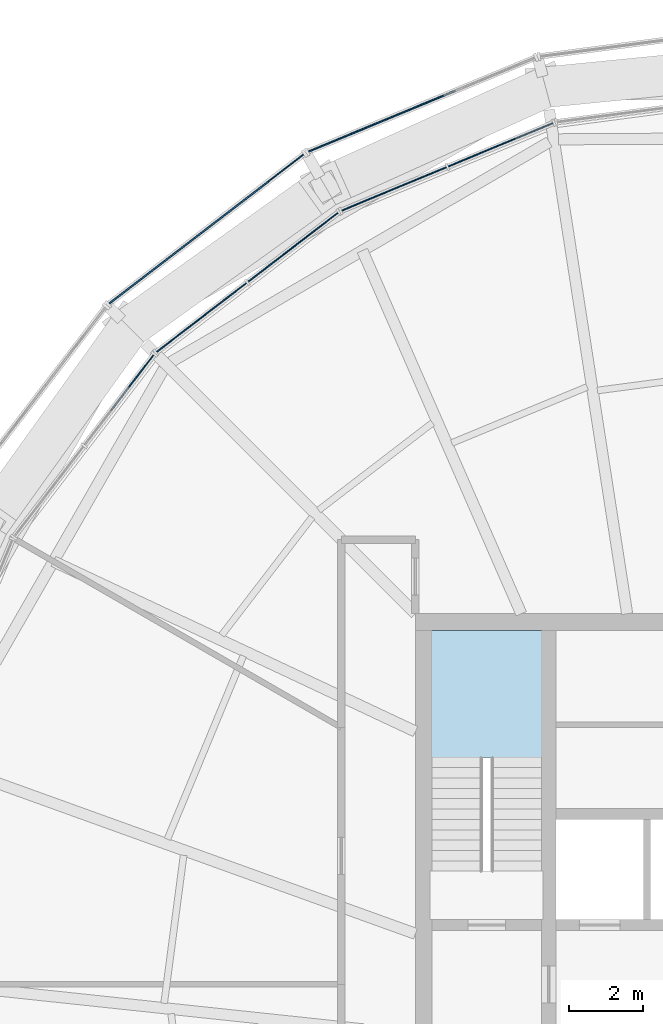
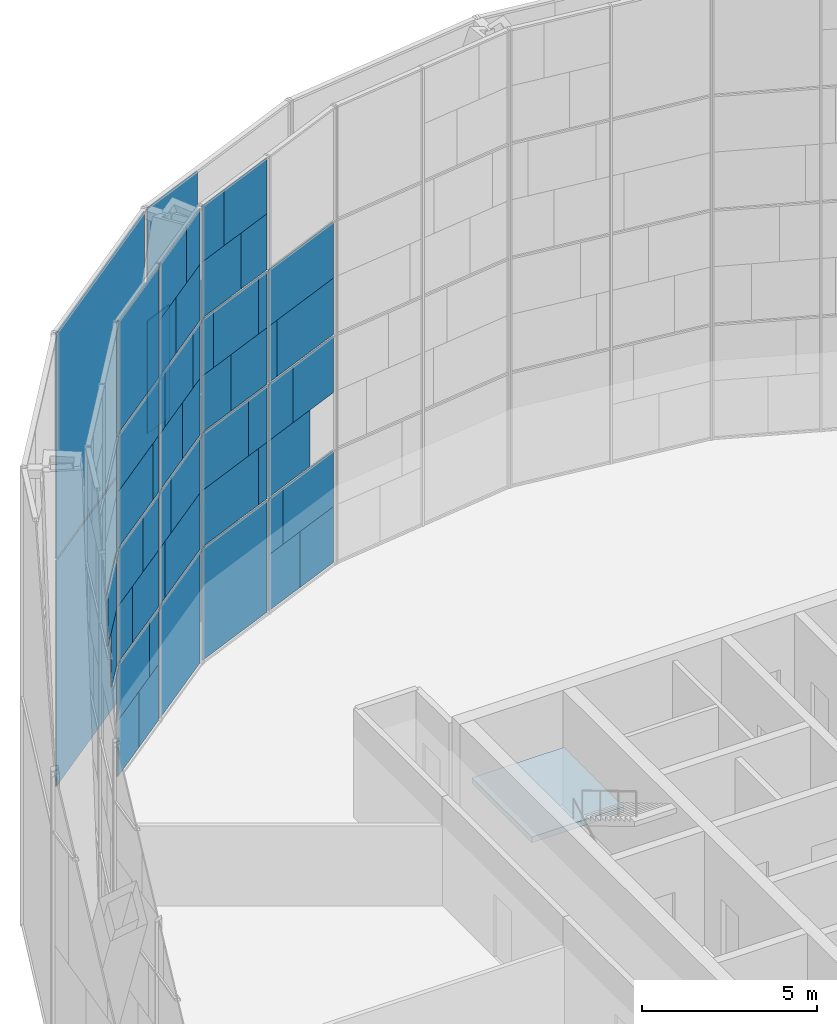
# One storey, part 22 of 30: 60 plates, 1 slab, 6 elements without a shape of their own.
"""IFC4 building model written with IfcOpenShell, lengths in metres."""

from ifc_helpers import new_model, si_unit, direction, frame, origin, origin_2d, place, context, subcontext, project, spatial, polyline, rectangle, outline, extrude, material, layer, layer_set, type_object, element, aggregate, save


model = new_model("IFC4")

# Units and contexts
model_context = context("Model", 3, precision=1e-05, world=origin(), true_north=direction((0.0, 1.0)))
body_context = subcontext(model_context, "Body", "Model", "MODEL_VIEW")
ifc_project = project(units=[si_unit("LENGTHUNIT", "METRE"), si_unit("AREAUNIT", "SQUARE_METRE"), si_unit("VOLUMEUNIT", "CUBIC_METRE"), si_unit("PLANEANGLEUNIT", "RADIAN"), si_unit("MASSUNIT", "GRAM", prefix="KILO")], contexts=[model_context])

# Site, building, storey
site_placement = place(None, origin())
site = spatial("IfcSite", under=ifc_project, at=site_placement, CompositionType="ELEMENT")
building_placement = place(site_placement, origin())
building = spatial("IfcBuilding", under=site, at=building_placement, Name="Golbaran Civic Tower", CompositionType="ELEMENT")
storey_placement = place(building_placement, frame((0.0, 0.0, 167.0)))
storey = spatial("IfcBuildingStorey", under=building, at=storey_placement, Name="L40", CompositionType="ELEMENT", Elevation=167.0)

# Curtain wall, plates
ifc_material_1 = material(Name="Aluminium and glass", Category="aluminium")
curtain_wall_type_1 = type_object("IfcCurtainWallType", Name="INNER SKIN CURTAIN WALL EXECUTIVE", PredefinedType="NOTDEFINED", material=ifc_material_1)
curtain_wall_1_placement = place(storey_placement, origin())
curtain_wall_1 = element("IfcCurtainWall", 1, at=curtain_wall_1_placement, inside=storey, type_object=curtain_wall_type_1, Name="Inner skin L40 facet 8 CW2", ObjectType="INNER SKIN", PredefinedType="USERDEFINED")
ifc_material_2 = material(Name="Clear insulating glass", Category="glass")
ifc_layer_1 = layer(ifc_material_2, 0.031982421875, Name="Clear insulating glass")
ifc_layer_set_1 = layer_set([ifc_layer_1], Name="Clear insulating glass")
plate_type_1 = type_object("IfcPlateType", Name="INNER SKIN CURTAIN WALL EXECUTIVE GLAZED PANEL", PredefinedType="CURTAIN_PANEL", material=ifc_layer_set_1)
plate_1_placement = place(storey_placement, frame((-8.42626953125, 22.35400390625, 0.06005859375), z_axis=(0.0, 0.0, 1.0), x_axis=(-0.923879532471, -0.382683432462, 0.0)))
plate_1 = element("IfcPlate", 2, at=plate_1_placement, type_object=plate_type_1, Name="CW2 panel 1.1 part 2", PredefinedType="CURTAIN_PANEL", context=body_context, shape_type="SweptSolid", body=[
    extrude(rectangle(XDim=1.4794921875, YDim=0.031982421875, at=origin_2d()), origin(), (0.0, 0.0, 1.0), 1.955078125),
])
plate_2_placement = place(storey_placement, frame((-8.7939453125, 22.20166015625, 2.014892578125), z_axis=(0.0, 0.0, 1.0), x_axis=(-0.923879532471, -0.382683432462, 0.0)))
plate_2 = element("IfcPlate", 3, at=plate_2_placement, type_object=plate_type_1, Name="CW2 panel 1.1 part 4", PredefinedType="CURTAIN_PANEL", context=body_context, shape_type="SweptSolid", body=[
    extrude(rectangle(XDim=0.683349609375, YDim=0.031982421875, at=origin_2d()), origin(), (0.0, 0.0, 1.0), 1.955078125),
])
plate_3_placement = place(storey_placement, frame((-7.16259765625, 22.87744140625, 6.0), z_axis=(0.0, 0.0, 1.0), x_axis=(-0.923879532471, -0.382683432462, 0.0)))
plate_3 = element("IfcPlate", 4, at=plate_3_placement, type_object=plate_type_1, Name="CW2 panel 1.2 part 3", PredefinedType="CURTAIN_PANEL", context=body_context, shape_type="SweptSolid", body=[
    extrude(rectangle(XDim=1.89208984375, YDim=0.031982421875, at=origin_2d()), origin(), (0.0, 0.0, 1.0), 1.969970703125),
])
plate_4_placement = place(storey_placement, frame((-7.513671875, 22.73193359375, 8.02978515625), z_axis=(0.0, 0.0, 1.0), x_axis=(-0.923879532471, -0.382683432462, 0.0)))
plate_4 = element("IfcPlate", 5, at=plate_4_placement, type_object=plate_type_1, Name="CW2 panel 1.3 part 1", PredefinedType="CURTAIN_PANEL", context=body_context, shape_type="SweptSolid", body=[
    extrude(rectangle(XDim=2.652099609375, YDim=0.031982421875, at=origin_2d()), origin(), (0.0, 0.0, 1.0), 1.969970703125),
])
plate_5_placement = place(storey_placement, frame((-7.698974609375, 22.6552734375, 10.0), z_axis=(0.0, 0.0, 1.0), x_axis=(-0.923879532471, -0.382683432462, 0.0)))
plate_5 = element("IfcPlate", 6, at=plate_5_placement, type_object=plate_type_1, Name="CW2 panel 1.3 part 3", PredefinedType="CURTAIN_PANEL", context=body_context, shape_type="SweptSolid", body=[
    extrude(rectangle(XDim=3.053466796875, YDim=0.031982421875, at=origin_2d()), origin(), (0.0, 0.0, 1.0), 1.969970703125),
])
plate_6_placement = place(storey_placement, frame((-10.575439453125, 21.463623046875, 0.06005859375), z_axis=(0.0, 0.0, 1.0), x_axis=(-0.923879532471, -0.382683432462, 0.0)))
plate_6 = element("IfcPlate", 7, at=plate_6_placement, type_object=plate_type_1, Name="CW2 panel 2.1", PredefinedType="CURTAIN_PANEL", context=body_context, shape_type="SweptSolid", body=[
    extrude(rectangle(XDim=3.053466796875, YDim=0.031982421875, at=origin_2d()), origin(), (0.0, 0.0, 1.0), 3.909912109375),
])
plate_7_placement = place(storey_placement, frame((-10.7607421875, 21.386962890625, 4.02978515625), z_axis=(0.0, 0.0, 1.0), x_axis=(-0.923879532471, -0.382683432462, 0.0)))
plate_7 = element("IfcPlate", 8, at=plate_7_placement, type_object=plate_type_1, Name="CW2 panel 2.2 part 2", PredefinedType="CURTAIN_PANEL", context=body_context, shape_type="SweptSolid", body=[
    extrude(rectangle(XDim=2.65234375, YDim=0.031982421875, at=origin_2d()), origin(), (0.0, 0.0, 1.0), 1.969970703125),
])
plate_8_placement = place(storey_placement, frame((-10.984375, 21.29443359375, 6.0), z_axis=(0.0, 0.0, 1.0), x_axis=(-0.923879532471, -0.382683432462, 0.0)))
plate_8 = element("IfcPlate", 9, at=plate_8_placement, type_object=plate_type_1, Name="CW2 panel 2.2 part 4", PredefinedType="CURTAIN_PANEL", context=body_context, shape_type="SweptSolid", body=[
    extrude(rectangle(XDim=2.16845703125, YDim=0.031982421875, at=origin_2d()), origin(), (0.0, 0.0, 1.0), 1.969970703125),
])
plate_9_placement = place(storey_placement, frame((-11.365966796875, 21.13623046875, 8.02978515625), z_axis=(0.0, 0.0, 1.0), x_axis=(-0.923879532471, -0.382683432462, 0.0)))
plate_9 = element("IfcPlate", 10, at=plate_9_placement, type_object=plate_type_1, Name="CW2 panel 2.3 part 2", PredefinedType="CURTAIN_PANEL", context=body_context, shape_type="SweptSolid", body=[
    extrude(rectangle(XDim=1.342529296875, YDim=0.031982421875, at=origin_2d()), origin(), (0.0, 0.0, 1.0), 1.969970703125),
])
plate_10_placement = place(storey_placement, frame((-9.35302734375, 21.969970703125, 10.0), z_axis=(0.0, 0.0, 1.0), x_axis=(-0.923879532471, -0.382683432462, 0.0)))
plate_10 = element("IfcPlate", 11, at=plate_10_placement, type_object=plate_type_1, Name="CW2 panel 2.3 part 3", PredefinedType="CURTAIN_PANEL", context=body_context, shape_type="SweptSolid", body=[
    extrude(rectangle(XDim=0.406982421875, YDim=0.031982421875, at=origin_2d()), origin(), (0.0, 0.0, 1.0), 1.969970703125),
])
plate_11_placement = place(storey_placement, frame((-11.73681640625, 20.982666015625, 10.0), z_axis=(0.0, 0.0, 1.0), x_axis=(-0.923879532471, -0.382683432462, 0.0)))
plate_11 = element("IfcPlate", 12, at=plate_11_placement, type_object=plate_type_1, Name="CW2 panel 2.3 part 5", PredefinedType="CURTAIN_PANEL", context=body_context, shape_type="SweptSolid", body=[
    extrude(rectangle(XDim=0.53955078125, YDim=0.031982421875, at=origin_2d()), origin(), (0.0, 0.0, 1.0), 1.969970703125),
])
plate_12_placement = place(storey_placement, frame((-9.735107421875, 21.811767578125, 12.030029296875), z_axis=(0.0, 0.0, 1.0), x_axis=(-0.923879532471, -0.382683432462, 0.0)))
plate_12 = element("IfcPlate", 13, at=plate_12_placement, type_object=plate_type_1, Name="CW2 panel 2.4 part 1", PredefinedType="CURTAIN_PANEL", context=body_context, shape_type="SweptSolid", body=[
    extrude(rectangle(XDim=1.23388671875, YDim=0.031982421875, at=origin_2d()), origin(), (0.0, 0.0, 1.0), 1.955078125),
])
plate_13_placement = place(storey_placement, frame((-10.102783203125, 21.659423828125, 13.98486328125), z_axis=(0.0, 0.0, 1.0), x_axis=(-0.923879532471, -0.382683432462, 0.0)))
plate_13 = element("IfcPlate", 14, at=plate_13_placement, type_object=plate_type_1, Name="CW2 panel 2.4 part 3", PredefinedType="CURTAIN_PANEL", context=body_context, shape_type="SweptSolid", body=[
    extrude(rectangle(XDim=2.030029296875, YDim=0.031982421875, at=origin_2d()), origin(), (0.0, 0.0, 1.0), 1.955078125),
])

curtain_wall_2_placement = place(storey_placement, origin())
curtain_wall_2 = element("IfcCurtainWall", 15, at=curtain_wall_2_placement, inside=storey, type_object=curtain_wall_type_1, Name="Inner skin L40 facet 9 CW2", ObjectType="INNER SKIN", PredefinedType="USERDEFINED")
plate_14_placement = place(storey_placement, frame((-13.30029296875, 19.890625, 0.06005859375), z_axis=(0.0, 0.0, 1.0), x_axis=(-0.79335334027, -0.608761429036, 0.0)))
plate_14 = element("IfcPlate", 16, at=plate_14_placement, type_object=plate_type_1, Name="CW2 panel 1.1", PredefinedType="CURTAIN_PANEL", context=body_context, shape_type="SweptSolid", body=[
    extrude(rectangle(XDim=3.053466796875, YDim=0.031982421875, at=origin_2d()), origin(), (0.0, 0.0, 1.0), 3.909912109375),
])
plate_15_placement = place(storey_placement, frame((-13.14111328125, 20.0126953125, 4.02978515625), z_axis=(0.0, 0.0, 1.0), x_axis=(-0.79335334027, -0.608761429036, 0.0)))
plate_15 = element("IfcPlate", 17, at=plate_15_placement, type_object=plate_type_1, Name="CW2 panel 1.2 part 1", PredefinedType="CURTAIN_PANEL", context=body_context, shape_type="SweptSolid", body=[
    extrude(rectangle(XDim=2.652099609375, YDim=0.031982421875, at=origin_2d()), origin(), (0.0, 0.0, 1.0), 1.969970703125),
])
plate_16_placement = place(storey_placement, frame((-12.949462890625, 20.15966796875, 6.0), z_axis=(0.0, 0.0, 1.0), x_axis=(-0.79335334027, -0.608761429036, 0.0)))
plate_16 = element("IfcPlate", 18, at=plate_16_placement, type_object=plate_type_1, Name="CW2 panel 1.2 part 3", PredefinedType="CURTAIN_PANEL", context=body_context, shape_type="SweptSolid", body=[
    extrude(rectangle(XDim=2.1689453125, YDim=0.031982421875, at=origin_2d()), origin(), (0.0, 0.0, 1.0), 1.969970703125),
])
plate_17_placement = place(storey_placement, frame((-12.621337890625, 20.411376953125, 8.02978515625), z_axis=(0.0, 0.0, 1.0), x_axis=(-0.79335334027, -0.608761429036, 0.0)))
plate_17 = element("IfcPlate", 19, at=plate_17_placement, type_object=plate_type_1, Name="CW2 panel 1.3 part 1", PredefinedType="CURTAIN_PANEL", context=body_context, shape_type="SweptSolid", body=[
    extrude(rectangle(XDim=1.342041015625, YDim=0.031982421875, at=origin_2d()), origin(), (0.0, 0.0, 1.0), 1.969970703125),
])
plate_18_placement = place(storey_placement, frame((-12.30322265625, 20.655517578125, 10.0), z_axis=(0.0, 0.0, 1.0), x_axis=(-0.79335334027, -0.608761429036, 0.0)))
plate_18 = element("IfcPlate", 20, at=plate_18_placement, type_object=plate_type_1, Name="CW2 panel 1.3 part 3", PredefinedType="CURTAIN_PANEL", context=body_context, shape_type="SweptSolid", body=[
    extrude(rectangle(XDim=0.5400390625, YDim=0.031982421875, at=origin_2d()), origin(), (0.0, 0.0, 1.0), 1.969970703125),
])
plate_19_placement = place(storey_placement, frame((-14.349853515625, 19.085205078125, 10.0), z_axis=(0.0, 0.0, 1.0), x_axis=(-0.79335334027, -0.608761429036, 0.0)))
plate_19 = element("IfcPlate", 21, at=plate_19_placement, type_object=plate_type_1, Name="CW2 panel 1.3 part 5", PredefinedType="CURTAIN_PANEL", context=body_context, shape_type="SweptSolid", body=[
    extrude(rectangle(XDim=0.407470703125, YDim=0.031982421875, at=origin_2d()), origin(), (0.0, 0.0, 1.0), 1.969970703125),
])
plate_20_placement = place(storey_placement, frame((-14.022216796875, 19.336669921875, 12.030029296875), z_axis=(0.0, 0.0, 1.0), x_axis=(-0.79335334027, -0.608761429036, 0.0)))
plate_20 = element("IfcPlate", 22, at=plate_20_placement, type_object=plate_type_1, Name="CW2 panel 1.4 part 2", PredefinedType="CURTAIN_PANEL", context=body_context, shape_type="SweptSolid", body=[
    extrude(rectangle(XDim=1.2333984375, YDim=0.031982421875, at=origin_2d()), origin(), (0.0, 0.0, 1.0), 1.955078125),
])
plate_21_placement = place(storey_placement, frame((-13.70654296875, 19.578857421875, 13.98486328125), z_axis=(0.0, 0.0, 1.0), x_axis=(-0.79335334027, -0.608761429036, 0.0)))
plate_21 = element("IfcPlate", 23, at=plate_21_placement, type_object=plate_type_1, Name="CW2 panel 1.4 part 4", PredefinedType="CURTAIN_PANEL", context=body_context, shape_type="SweptSolid", body=[
    extrude(rectangle(XDim=2.029541015625, YDim=0.031982421875, at=origin_2d()), origin(), (0.0, 0.0, 1.0), 1.955078125),
])
plate_22_placement = place(storey_placement, frame((-15.146240234375, 18.47412109375, 0.06005859375), z_axis=(0.0, 0.0, 1.0), x_axis=(-0.79335334027, -0.608761429036, 0.0)))
plate_22 = element("IfcPlate", 24, at=plate_22_placement, type_object=plate_type_1, Name="CW2 panel 2.1 part 1", PredefinedType="CURTAIN_PANEL", context=body_context, shape_type="SweptSolid", body=[
    extrude(rectangle(XDim=1.47998046875, YDim=0.031982421875, at=origin_2d()), origin(), (0.0, 0.0, 1.0), 1.955078125),
])
plate_23_placement = place(storey_placement, frame((-14.83056640625, 18.71630859375, 2.014892578125), z_axis=(0.0, 0.0, 1.0), x_axis=(-0.79335334027, -0.608761429036, 0.0)))
plate_23 = element("IfcPlate", 25, at=plate_23_placement, type_object=plate_type_1, Name="CW2 panel 2.1 part 3", PredefinedType="CURTAIN_PANEL", context=body_context, shape_type="SweptSolid", body=[
    extrude(rectangle(XDim=0.68408203125, YDim=0.031982421875, at=origin_2d()), origin(), (0.0, 0.0, 1.0), 1.955078125),
])
plate_24_placement = place(storey_placement, frame((-16.549560546875, 17.3974609375, 4.02978515625), z_axis=(0.0, 0.0, 1.0), x_axis=(-0.79335334027, -0.608761429036, 0.0)))
plate_24 = element("IfcPlate", 26, at=plate_24_placement, type_object=plate_type_1, Name="CW2 panel 2.2 part 2", PredefinedType="CURTAIN_PANEL", context=body_context, shape_type="SweptSolid", body=[
    extrude(rectangle(XDim=1.08935546875, YDim=0.031982421875, at=origin_2d()), origin(), (0.0, 0.0, 1.0), 1.969970703125),
])
plate_25_placement = place(storey_placement, frame((-16.23095703125, 17.641845703125, 6.0), z_axis=(0.0, 0.0, 1.0), x_axis=(-0.79335334027, -0.608761429036, 0.0)))
plate_25 = element("IfcPlate", 27, at=plate_25_placement, type_object=plate_type_1, Name="CW2 panel 2.2 part 4", PredefinedType="CURTAIN_PANEL", context=body_context, shape_type="SweptSolid", body=[
    extrude(rectangle(XDim=1.892578125, YDim=0.031982421875, at=origin_2d()), origin(), (0.0, 0.0, 1.0), 1.969970703125),
])
plate_26_placement = place(storey_placement, frame((-15.929443359375, 17.873046875, 8.02978515625), z_axis=(0.0, 0.0, 1.0), x_axis=(-0.79335334027, -0.608761429036, 0.0)))
plate_26 = element("IfcPlate", 28, at=plate_26_placement, type_object=plate_type_1, Name="CW2 panel 2.3 part 2", PredefinedType="CURTAIN_PANEL", context=body_context, shape_type="SweptSolid", body=[
    extrude(rectangle(XDim=2.65234375, YDim=0.031982421875, at=origin_2d()), origin(), (0.0, 0.0, 1.0), 1.969970703125),
])
plate_27_placement = place(storey_placement, frame((-15.7705078125, 17.9951171875, 10.0), z_axis=(0.0, 0.0, 1.0), x_axis=(-0.79335334027, -0.608761429036, 0.0)))
plate_27 = element("IfcPlate", 29, at=plate_27_placement, type_object=plate_type_1, Name="CW2 panel 2.3 part 3", PredefinedType="CURTAIN_PANEL", context=body_context, shape_type="SweptSolid", body=[
    extrude(rectangle(XDim=3.053466796875, YDim=0.031982421875, at=origin_2d()), origin(), (0.0, 0.0, 1.0), 1.969970703125),
])
plate_28_placement = place(storey_placement, frame((-15.7705078125, 17.9951171875, 12.0302734375), z_axis=(0.0, 0.0, 1.0), x_axis=(-0.79335334027, -0.608761429036, 0.0)))
plate_28 = element("IfcPlate", 30, at=plate_28_placement, type_object=plate_type_1, Name="CW2 panel 2.4", PredefinedType="CURTAIN_PANEL", context=body_context, shape_type="SweptSolid", body=[
    extrude(rectangle(XDim=3.053466796875, YDim=0.031982421875, at=origin_2d()), origin(), (0.0, 0.0, 1.0), 3.909912109375),
])

curtain_wall_3_placement = place(storey_placement, origin())
curtain_wall_3 = element("IfcCurtainWall", 31, at=curtain_wall_3_placement, inside=storey, type_object=curtain_wall_type_1, Name="Inner skin L40 facet 10 CW2", ObjectType="INNER SKIN", PredefinedType="USERDEFINED")
plate_29_placement = place(storey_placement, frame((-17.3974609375, 16.54931640625, 4.02978515625), z_axis=(0.0, 0.0, 1.0), x_axis=(-0.608761429036, -0.79335334027, 0.0)))
plate_29 = element("IfcPlate", 32, at=plate_29_placement, type_object=plate_type_1, Name="CW2 panel 1.2 part 1", PredefinedType="CURTAIN_PANEL", context=body_context, shape_type="SweptSolid", body=[
    extrude(rectangle(XDim=1.090087890625, YDim=0.031982421875, at=origin_2d()), origin(), (0.0, 0.0, 1.0), 1.969970703125),
])
plate_30_placement = place(storey_placement, frame((-17.6416015625, 16.231201171875, 6.0), z_axis=(0.0, 0.0, 1.0), x_axis=(-0.608761429036, -0.79335334027, 0.0)))
plate_30 = element("IfcPlate", 33, at=plate_30_placement, type_object=plate_type_1, Name="CW2 panel 1.2 part 3", PredefinedType="CURTAIN_PANEL", context=body_context, shape_type="SweptSolid", body=[
    extrude(rectangle(XDim=1.89208984375, YDim=0.031982421875, at=origin_2d()), origin(), (0.0, 0.0, 1.0), 1.969970703125),
])
aggregate(curtain_wall_3, [plate_29, plate_30])

# Plate
ifc_material_3 = material(Name="Aluminium faced opaque infill panel", Category="aluminium")
ifc_layer_2 = layer(ifc_material_3, 0.031982421875, Name="Aluminium faced opaque infill panel")
ifc_layer_set_2 = layer_set([ifc_layer_2], Name="Aluminium faced opaque infill panel")
plate_type_2 = type_object("IfcPlateType", Name="INNER SKIN CURTAIN WALL EXECUTIVE OPAQUE INFILL PANEL", PredefinedType="CURTAIN_PANEL", material=ifc_layer_set_2)
plate_31_placement = place(storey_placement, frame((-7.015625, 22.938232421875, 0.06005859375), z_axis=(0.0, 0.0, 1.0), x_axis=(-0.923879532471, -0.382683432462, 0.0)))
plate_31 = element("IfcPlate", 34, at=plate_31_placement, type_object=plate_type_2, Name="CW2 infill panel 1.1 part 1", PredefinedType="CURTAIN_PANEL", context=body_context, shape_type="SweptSolid", body=[
    extrude(rectangle(XDim=1.573974609375, YDim=0.031982421875, at=origin_2d()), origin(), (0.0, 0.0, 1.0), 1.955078125),
])

plate_32_placement = place(storey_placement, frame((-7.38330078125, 22.785888671875, 2.014892578125), z_axis=(0.0, 0.0, 1.0), x_axis=(-0.923879532471, -0.382683432462, 0.0)))
plate_32 = element("IfcPlate", 35, at=plate_32_placement, type_object=plate_type_2, Name="CW2 infill panel 1.1 part 3", PredefinedType="CURTAIN_PANEL", context=body_context, shape_type="SweptSolid", body=[
    extrude(rectangle(XDim=2.3701171875, YDim=0.031982421875, at=origin_2d()), origin(), (0.0, 0.0, 1.0), 1.955078125),
])

plate_33_placement = place(storey_placement, frame((-8.20263671875, 22.446533203125, 4.02978515625), z_axis=(0.0, 0.0, 1.0), x_axis=(-0.923879532471, -0.382683432462, 0.0)))
plate_33 = element("IfcPlate", 36, at=plate_33_placement, type_object=plate_type_2, Name="CW2 infill panel 1.2 part 2", PredefinedType="CURTAIN_PANEL", context=body_context, shape_type="SweptSolid", body=[
    extrude(rectangle(XDim=1.96337890625, YDim=0.031982421875, at=origin_2d()), origin(), (0.0, 0.0, 1.0), 1.969970703125),
])

plate_34_placement = place(storey_placement, frame((-8.572998046875, 22.293212890625, 6.0), z_axis=(0.0, 0.0, 1.0), x_axis=(-0.923879532471, -0.382683432462, 0.0)))
plate_34 = element("IfcPlate", 37, at=plate_34_placement, type_object=plate_type_2, Name="CW2 infill panel 1.2 part 4", PredefinedType="CURTAIN_PANEL", context=body_context, shape_type="SweptSolid", body=[
    extrude(rectangle(XDim=1.161376953125, YDim=0.031982421875, at=origin_2d()), origin(), (0.0, 0.0, 1.0), 1.969970703125),
])

plate_35_placement = place(storey_placement, frame((-8.924072265625, 22.147705078125, 8.02978515625), z_axis=(0.0, 0.0, 1.0), x_axis=(-0.923879532471, -0.382683432462, 0.0)))
plate_35 = element("IfcPlate", 38, at=plate_35_placement, type_object=plate_type_2, Name="CW2 infill panel 1.3 part 2", PredefinedType="CURTAIN_PANEL", context=body_context, shape_type="SweptSolid", body=[
    extrude(rectangle(XDim=0.4013671875, YDim=0.031982421875, at=origin_2d()), origin(), (0.0, 0.0, 1.0), 1.969970703125),
])

plate_36_placement = place(storey_placement, frame((-9.350341796875, 21.97119140625, 4.02978515625), z_axis=(0.0, 0.0, 1.0), x_axis=(-0.923879532471, -0.382683432462, 0.0)))
plate_36 = element("IfcPlate", 39, at=plate_36_placement, type_object=plate_type_2, Name="CW2 infill panel 2.2 part 1", PredefinedType="CURTAIN_PANEL", context=body_context, shape_type="SweptSolid", body=[
    extrude(rectangle(XDim=0.40087890625, YDim=0.031982421875, at=origin_2d()), origin(), (0.0, 0.0, 1.0), 1.969970703125),
])

plate_37_placement = place(storey_placement, frame((-9.573974609375, 21.878662109375, 6.0), z_axis=(0.0, 0.0, 1.0), x_axis=(-0.923879532471, -0.382683432462, 0.0)))
plate_37 = element("IfcPlate", 40, at=plate_37_placement, type_object=plate_type_2, Name="CW2 infill panel 2.2 part 3", PredefinedType="CURTAIN_PANEL", context=body_context, shape_type="SweptSolid", body=[
    extrude(rectangle(XDim=0.885009765625, YDim=0.031982421875, at=origin_2d()), origin(), (0.0, 0.0, 1.0), 1.969970703125),
])

plate_38_placement = place(storey_placement, frame((-9.955322265625, 21.720458984375, 8.02978515625), z_axis=(0.0, 0.0, 1.0), x_axis=(-0.923879532471, -0.382683432462, 0.0)))
plate_38 = element("IfcPlate", 41, at=plate_38_placement, type_object=plate_type_2, Name="CW2 infill panel 2.3 part 1", PredefinedType="CURTAIN_PANEL", context=body_context, shape_type="SweptSolid", body=[
    extrude(rectangle(XDim=1.7109375, YDim=0.031982421875, at=origin_2d()), origin(), (0.0, 0.0, 1.0), 1.969970703125),
])

plate_39_placement = place(storey_placement, frame((-10.514404296875, 21.489013671875, 10.0), z_axis=(0.0, 0.0, 1.0), x_axis=(-0.923879532471, -0.382683432462, 0.0)))
plate_39 = element("IfcPlate", 42, at=plate_39_placement, type_object=plate_type_2, Name="CW2 infill panel 2.3 part 4", PredefinedType="CURTAIN_PANEL", context=body_context, shape_type="SweptSolid", body=[
    extrude(rectangle(XDim=2.10693359375, YDim=0.031982421875, at=origin_2d()), origin(), (0.0, 0.0, 1.0), 1.969970703125),
])

plate_40_placement = place(storey_placement, frame((-11.1455078125, 21.2275390625, 12.030029296875), z_axis=(0.0, 0.0, 1.0), x_axis=(-0.923879532471, -0.382683432462, 0.0)))
plate_40 = element("IfcPlate", 43, at=plate_40_placement, type_object=plate_type_2, Name="CW2 infill panel 2.4 part 2", PredefinedType="CURTAIN_PANEL", context=body_context, shape_type="SweptSolid", body=[
    extrude(rectangle(XDim=1.819580078125, YDim=0.031982421875, at=origin_2d()), origin(), (0.0, 0.0, 1.0), 1.955078125),
])

plate_41_placement = place(storey_placement, frame((-11.51318359375, 21.0751953125, 13.98486328125), z_axis=(0.0, 0.0, 1.0), x_axis=(-0.923879532471, -0.382683432462, 0.0)))
plate_41 = element("IfcPlate", 44, at=plate_41_placement, type_object=plate_type_2, Name="CW2 infill panel 2.4 part 4", PredefinedType="CURTAIN_PANEL", context=body_context, shape_type="SweptSolid", body=[
    extrude(rectangle(XDim=1.0234375, YDim=0.031982421875, at=origin_2d()), origin(), (0.0, 0.0, 1.0), 1.955078125),
])

aggregate(curtain_wall_1, [plate_31, plate_1, plate_32, plate_2, plate_33, plate_3, plate_34, plate_4, plate_35, plate_5, plate_6, plate_36, plate_7, plate_37, plate_8, plate_38, plate_9, plate_10, plate_39, plate_11, plate_12, plate_40, plate_13, plate_41])

plate_42_placement = place(storey_placement, frame((-14.352294921875, 19.083251953125, 4.02978515625), z_axis=(0.0, 0.0, 1.0), x_axis=(-0.79335334027, -0.608761429036, 0.0)))
plate_42 = element("IfcPlate", 45, at=plate_42_placement, type_object=plate_type_2, Name="CW2 infill panel 1.2 part 2", PredefinedType="CURTAIN_PANEL", context=body_context, shape_type="SweptSolid", body=[
    extrude(rectangle(XDim=0.4013671875, YDim=0.031982421875, at=origin_2d()), origin(), (0.0, 0.0, 1.0), 1.969970703125),
])

plate_43_placement = place(storey_placement, frame((-14.16064453125, 19.23046875, 6.0), z_axis=(0.0, 0.0, 1.0), x_axis=(-0.79335334027, -0.608761429036, 0.0)))
plate_43 = element("IfcPlate", 46, at=plate_43_placement, type_object=plate_type_2, Name="CW2 infill panel 1.2 part 4", PredefinedType="CURTAIN_PANEL", context=body_context, shape_type="SweptSolid", body=[
    extrude(rectangle(XDim=0.884521484375, YDim=0.031982421875, at=origin_2d()), origin(), (0.0, 0.0, 1.0), 1.969970703125),
])

plate_44_placement = place(storey_placement, frame((-13.832763671875, 19.482177734375, 8.02978515625), z_axis=(0.0, 0.0, 1.0), x_axis=(-0.79335334027, -0.608761429036, 0.0)))
plate_44 = element("IfcPlate", 47, at=plate_44_placement, type_object=plate_type_2, Name="CW2 infill panel 1.3 part 2", PredefinedType="CURTAIN_PANEL", context=body_context, shape_type="SweptSolid", body=[
    extrude(rectangle(XDim=1.71142578125, YDim=0.031982421875, at=origin_2d()), origin(), (0.0, 0.0, 1.0), 1.969970703125),
])

plate_45_placement = place(storey_placement, frame((-13.35302734375, 19.85009765625, 10.0), z_axis=(0.0, 0.0, 1.0), x_axis=(-0.79335334027, -0.608761429036, 0.0)))
plate_45 = element("IfcPlate", 48, at=plate_45_placement, type_object=plate_type_2, Name="CW2 infill panel 1.3 part 4", PredefinedType="CURTAIN_PANEL", context=body_context, shape_type="SweptSolid", body=[
    extrude(rectangle(XDim=2.10595703125, YDim=0.031982421875, at=origin_2d()), origin(), (0.0, 0.0, 1.0), 1.969970703125),
])

plate_46_placement = place(storey_placement, frame((-12.81103515625, 20.26611328125, 12.030029296875), z_axis=(0.0, 0.0, 1.0), x_axis=(-0.79335334027, -0.608761429036, 0.0)))
plate_46 = element("IfcPlate", 49, at=plate_46_placement, type_object=plate_type_2, Name="CW2 infill panel 1.4 part 1", PredefinedType="CURTAIN_PANEL", context=body_context, shape_type="SweptSolid", body=[
    extrude(rectangle(XDim=1.820068359375, YDim=0.031982421875, at=origin_2d()), origin(), (0.0, 0.0, 1.0), 1.955078125),
])

plate_47_placement = place(storey_placement, frame((-12.495361328125, 20.50830078125, 13.98486328125), z_axis=(0.0, 0.0, 1.0), x_axis=(-0.79335334027, -0.608761429036, 0.0)))
plate_47 = element("IfcPlate", 50, at=plate_47_placement, type_object=plate_type_2, Name="CW2 infill panel 1.4 part 3", PredefinedType="CURTAIN_PANEL", context=body_context, shape_type="SweptSolid", body=[
    extrude(rectangle(XDim=1.02392578125, YDim=0.031982421875, at=origin_2d()), origin(), (0.0, 0.0, 1.0), 1.955078125),
])

plate_48_placement = place(storey_placement, frame((-16.357421875, 17.544677734375, 0.06005859375), z_axis=(0.0, 0.0, 1.0), x_axis=(-0.79335334027, -0.608761429036, 0.0)))
plate_48 = element("IfcPlate", 51, at=plate_48_placement, type_object=plate_type_2, Name="CW2 infill panel 2.1 part 2", PredefinedType="CURTAIN_PANEL", context=body_context, shape_type="SweptSolid", body=[
    extrude(rectangle(XDim=1.573486328125, YDim=0.031982421875, at=origin_2d()), origin(), (0.0, 0.0, 1.0), 1.955078125),
])

plate_49_placement = place(storey_placement, frame((-16.041748046875, 17.787109375, 2.014892578125), z_axis=(0.0, 0.0, 1.0), x_axis=(-0.79335334027, -0.608761429036, 0.0)))
plate_49 = element("IfcPlate", 52, at=plate_49_placement, type_object=plate_type_2, Name="CW2 infill panel 2.1 part 4", PredefinedType="CURTAIN_PANEL", context=body_context, shape_type="SweptSolid", body=[
    extrude(rectangle(XDim=2.369384765625, YDim=0.031982421875, at=origin_2d()), origin(), (0.0, 0.0, 1.0), 1.955078125),
])

plate_50_placement = place(storey_placement, frame((-15.338134765625, 18.326904296875, 4.02978515625), z_axis=(0.0, 0.0, 1.0), x_axis=(-0.79335334027, -0.608761429036, 0.0)))
plate_50 = element("IfcPlate", 53, at=plate_50_placement, type_object=plate_type_2, Name="CW2 infill panel 2.2 part 1", PredefinedType="CURTAIN_PANEL", context=body_context, shape_type="SweptSolid", body=[
    extrude(rectangle(XDim=1.964111328125, YDim=0.031982421875, at=origin_2d()), origin(), (0.0, 0.0, 1.0), 1.969970703125),
])

plate_51_placement = place(storey_placement, frame((-15.019775390625, 18.5712890625, 6.0), z_axis=(0.0, 0.0, 1.0), x_axis=(-0.79335334027, -0.608761429036, 0.0)))
plate_51 = element("IfcPlate", 54, at=plate_51_placement, type_object=plate_type_2, Name="CW2 infill panel 2.2 part 3", PredefinedType="CURTAIN_PANEL", context=body_context, shape_type="SweptSolid", body=[
    extrude(rectangle(XDim=1.160888671875, YDim=0.031982421875, at=origin_2d()), origin(), (0.0, 0.0, 1.0), 1.969970703125),
])

plate_52_placement = place(storey_placement, frame((-14.71826171875, 18.802490234375, 8.02978515625), z_axis=(0.0, 0.0, 1.0), x_axis=(-0.79335334027, -0.608761429036, 0.0)))
plate_52 = element("IfcPlate", 55, at=plate_52_placement, type_object=plate_type_2, Name="CW2 infill panel 2.3 part 1", PredefinedType="CURTAIN_PANEL", context=body_context, shape_type="SweptSolid", body=[
    extrude(rectangle(XDim=0.40087890625, YDim=0.031982421875, at=origin_2d()), origin(), (0.0, 0.0, 1.0), 1.969970703125),
])

aggregate(curtain_wall_2, [plate_14, plate_15, plate_42, plate_16, plate_43, plate_17, plate_44, plate_18, plate_45, plate_19, plate_46, plate_20, plate_47, plate_21, plate_22, plate_48, plate_23, plate_49, plate_50, plate_24, plate_51, plate_25, plate_52, plate_26, plate_27, plate_28])

# Curtain wall, plates
curtain_wall_type_2 = type_object("IfcCurtainWallType", Name="OUTER SKIN TERRACOTTA SCREEN", PredefinedType="NOTDEFINED", material=ifc_material_1)
curtain_wall_4_placement = place(storey_placement, origin())
curtain_wall_4 = element("IfcCurtainWall", 56, at=curtain_wall_4_placement, inside=storey, type_object=curtain_wall_type_2, Name="Outer skin L40 facet 8 CW3", ObjectType="OUTER SKIN", PredefinedType="USERDEFINED")
ifc_material_4 = material(Name="Clear laminated glass", Category="glass")
ifc_layer_3 = layer(ifc_material_4, 0.0400390625, Name="Clear laminated glass")
ifc_layer_set_3 = layer_set([ifc_layer_3], Name="Clear laminated glass")
plate_type_3 = type_object("IfcPlateType", Name="OUTER SKIN CLEAR GLASS PANEL", PredefinedType="CURTAIN_PANEL", material=ifc_layer_set_3)
plate_53_placement = place(storey_placement, frame((-10.9033203125, 23.291748046875, -0.6298828125), z_axis=(0.0, 0.0, 1.0), x_axis=(-0.923879532471, -0.382683432462, 0.0)))
plate_53 = element("IfcPlate", 57, at=plate_53_placement, type_object=plate_type_3, Name="CW3 panel 1.1 part 2", PredefinedType="CURTAIN_PANEL", context=body_context, shape_type="SweptSolid", body=[
    extrude(rectangle(XDim=4.28466796875, YDim=0.0400390625, at=origin_2d()), origin(), (0.0, 0.0, 1.0), 3.93994140625),
])
plate_54_placement = place(storey_placement, frame((-11.644287109375, 22.98486328125, 3.31005859375), z_axis=(0.0, 0.0, 1.0), x_axis=(-0.923879532471, -0.382683432462, 0.0)))
plate_54 = element("IfcPlate", 58, at=plate_54_placement, type_object=plate_type_3, Name="CW3 panel 1.1 part 5", PredefinedType="CURTAIN_PANEL", context=body_context, shape_type="SweptSolid", body=[
    extrude(rectangle(XDim=2.6806640625, YDim=0.0400390625, at=origin_2d()), origin(), (0.0, 0.0, 1.0), 3.93994140625),
])
plate_55_placement = place(storey_placement, frame((-12.400390625, 22.671630859375, 7.330078125), z_axis=(0.0, 0.0, 1.0), x_axis=(-0.923879532471, -0.382683432462, 0.0)))
plate_55 = element("IfcPlate", 59, at=plate_55_placement, type_object=plate_type_3, Name="CW3 panel 1.2 part 3", PredefinedType="CURTAIN_PANEL", context=body_context, shape_type="SweptSolid", body=[
    extrude(rectangle(XDim=1.043701171875, YDim=0.0400390625, at=origin_2d()), origin(), (0.0, 0.0, 1.0), 3.93994140625),
])
ifc_material_5 = material(Name="Terracotta baguette screen", Category="masonry")
ifc_layer_4 = layer(ifc_material_5, 0.0400390625, Name="Terracotta baguette screen")
ifc_layer_set_4 = layer_set([ifc_layer_4], Name="Terracotta baguette screen")
plate_type_4 = type_object("IfcPlateType", Name="OUTER SKIN TERRACOTTA INFILL PANEL", PredefinedType="CURTAIN_PANEL", material=ifc_layer_set_4)
plate_56_placement = place(storey_placement, frame((-9.062744140625, 24.05419921875, 3.31005859375), z_axis=(0.0, 0.0, 1.0), x_axis=(-0.923879532471, -0.382683432462, 0.0)))
plate_56 = element("IfcPlate", 60, at=plate_56_placement, type_object=plate_type_4, Name="CW3 infill panel 1.1 part 4", PredefinedType="CURTAIN_PANEL", context=body_context, shape_type="SweptSolid", body=[
    extrude(rectangle(XDim=2.907958984375, YDim=0.0400390625, at=origin_2d()), origin(), (0.0, 0.0, 1.0), 3.93994140625),
])
plate_57_placement = place(storey_placement, frame((-10.57470703125, 23.427978515625, 7.330078125), z_axis=(0.0, 0.0, 1.0), x_axis=(-0.923879532471, -0.382683432462, 0.0)))
plate_57 = element("IfcPlate", 61, at=plate_57_placement, type_object=plate_type_4, Name="CW3 infill panel 1.2 part 2", PredefinedType="CURTAIN_PANEL", context=body_context, shape_type="SweptSolid", body=[
    extrude(rectangle(XDim=2.908935546875, YDim=0.0400390625, at=origin_2d()), origin(), (0.0, 0.0, 1.0), 3.93994140625),
])
plate_58_placement = place(storey_placement, frame((-11.798583984375, 22.9208984375, 11.27001953125), z_axis=(0.0, 0.0, 1.0), x_axis=(-0.923879532471, -0.382683432462, 0.0)))
plate_58 = element("IfcPlate", 62, at=plate_58_placement, type_object=plate_type_4, Name="CW3 infill panel 1.2 part 5", PredefinedType="CURTAIN_PANEL", context=body_context, shape_type="SweptSolid", body=[
    extrude(rectangle(XDim=2.3466796875, YDim=0.0400390625, at=origin_2d()), origin(), (0.0, 0.0, 1.0), 3.93994140625),
])
aggregate(curtain_wall_4, [plate_53, plate_56, plate_54, plate_57, plate_55, plate_58])

curtain_wall_5_placement = place(storey_placement, origin())
curtain_wall_5 = element("IfcCurtainWall", 63, at=curtain_wall_5_placement, inside=storey, type_object=curtain_wall_type_2, Name="Outer skin L40 facet 9 CW3", ObjectType="OUTER SKIN", PredefinedType="USERDEFINED")
ifc_layer_5 = layer(ifc_material_5, 0.0400390625, Name="Terracotta baguette screen")
ifc_layer_set_5 = layer_set([ifc_layer_5], Name="Terracotta baguette screen")
plate_type_5 = type_object("IfcPlateType", Name="OUTER SKIN TERRACOTTA SCREEN PANEL", PredefinedType="CURTAIN_PANEL", material=ifc_layer_set_5)
plate_59_placement = place(storey_placement, frame((-15.639892578125, 20.38232421875, -0.6298828125), z_axis=(0.0, 0.0, 1.0), x_axis=(-0.793353340323, -0.608761428967, 0.0)))
plate_59 = element("IfcPlate", 64, at=plate_59_placement, type_object=plate_type_5, Name="CW3 terracotta screen panel 1.1", PredefinedType="CURTAIN_PANEL", context=body_context, shape_type="SweptSolid", body=[
    extrude(rectangle(XDim=6.604736328125, YDim=0.0400390625, at=origin_2d()), origin(), (0.0, 0.0, 1.0), 7.8798828125),
])
plate_60_placement = place(storey_placement, frame((-15.639892578125, 20.38232421875, 7.330078125), z_axis=(0.0, 0.0, 1.0), x_axis=(-0.793353340323, -0.608761428967, 0.0)))
plate_60 = element("IfcPlate", 65, at=plate_60_placement, type_object=plate_type_5, Name="CW3 terracotta screen panel 1.2", PredefinedType="CURTAIN_PANEL", context=body_context, shape_type="SweptSolid", body=[
    extrude(rectangle(XDim=6.604736328125, YDim=0.0400390625, at=origin_2d()), origin(), (0.0, 0.0, 1.0), 7.8798828125),
])
aggregate(curtain_wall_5, [plate_59, plate_60])

# Stair, slab
ifc_material_6 = material(Name="Concrete C35/45", Category="concrete")
stair_type = type_object("IfcStairType", Name="EXIT STAIR 2950 x 7800, 4000 RISE", PredefinedType="HALF_TURN_STAIR", material=ifc_material_6)
stair_placement = place(storey_placement, origin())
stair = element("IfcStair", 66, at=stair_placement, inside=storey, type_object=stair_type, Name="Stair S1 L40", PredefinedType="HALF_TURN_STAIR")
ifc_layer_6 = layer(ifc_material_6, 0.199951171875, Name="Concrete C35/45")
ifc_layer_set_6 = layer_set([ifc_layer_6], Name="Concrete C35/45")
slab_type = type_object("IfcSlabType", Name="STAIR LANDING 200", PredefinedType="LANDING", material=ifc_layer_set_6)
slab_placement = place(storey_placement, frame((0.0, 0.0, 1.800048828125)))
slab = element("IfcSlab", 67, at=slab_placement, type_object=slab_type, Name="ST29578-40 landing 1", PredefinedType="LANDING", context=body_context, shape_type="SweptSolid", body=[
    extrude(outline(polyline([(-9.60009765625, 6.125), (-9.60009765625, 9.550048828125), (-6.550048828125, 9.550048828125), (-6.550048828125, 6.125), (-9.60009765625, 6.125)])), origin(), (0.0, 0.0, 1.0), 0.199951171875),
])
aggregate(stair, [slab])

save(model, "model.ifc")
